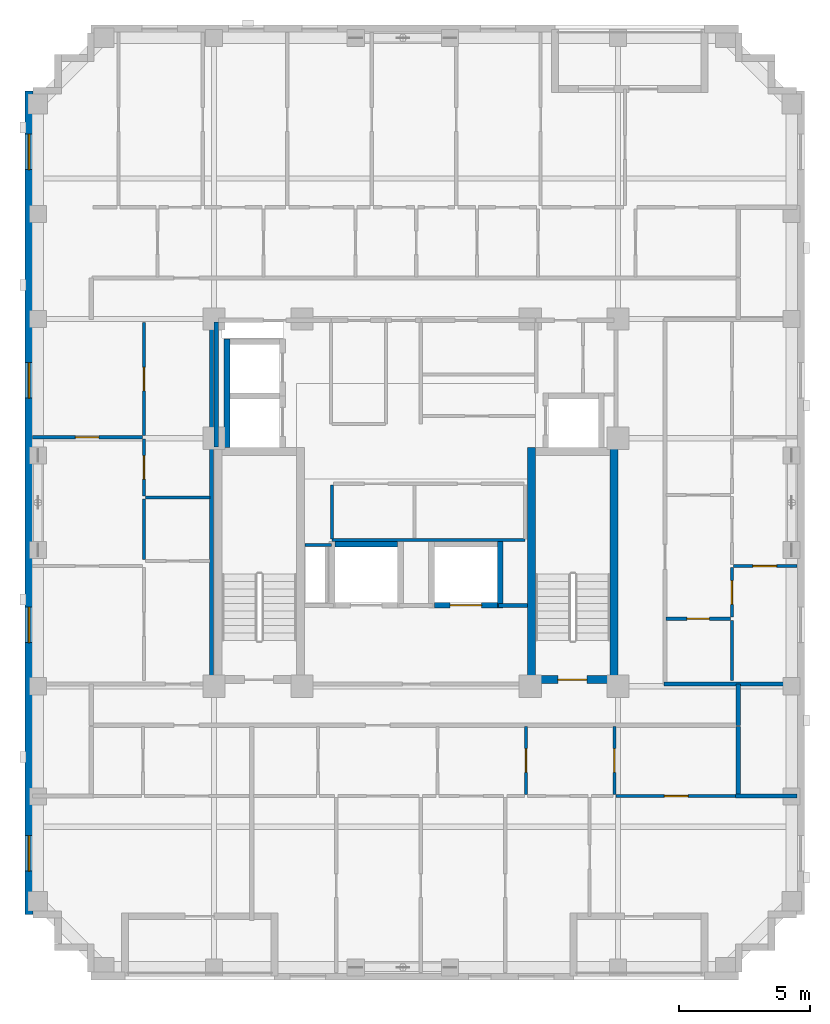
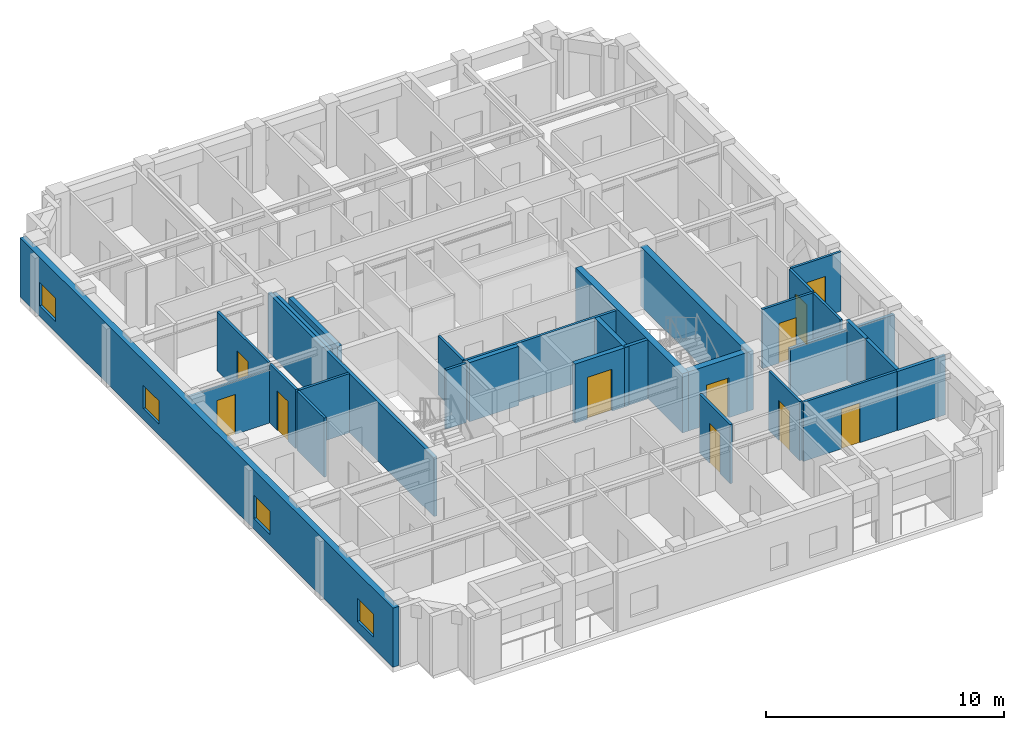
# One storey, part 4 of 11: 30 walls, 11 doors, 4 windows, 15 openings.
"""IFC4 building model written with IfcOpenShell, lengths in metres."""

from ifc_helpers import new_model, si_unit, derived_unit, direction, frame, frame_2d, origin, place, context, subcontext, project, spatial, rectangle, extrude, material, layer, layer_set, type_object, element, fill, save


model = new_model("IFC4")

# Units and contexts
model_context = context("Model", 3, precision=1e-05, world=origin(), true_north=direction((0.0, 1.0)))
body_context = subcontext(model_context, "Body", "Model", "MODEL_VIEW")
ifc_project = project(units=[si_unit("LENGTHUNIT", "METRE"), si_unit("AREAUNIT", "SQUARE_METRE"), si_unit("VOLUMEUNIT", "CUBIC_METRE"), si_unit("PLANEANGLEUNIT", "RADIAN"), si_unit("MASSUNIT", "GRAM", prefix="KILO"), derived_unit("THERMALTRANSMITTANCEUNIT", [(si_unit("MASSUNIT", "GRAM", prefix="KILO"), 1), (si_unit("TIMEUNIT", "SECOND"), -3), (si_unit("THERMODYNAMICTEMPERATUREUNIT", "KELVIN"), -1)])], contexts=[model_context])

# Site, building, storey
site_placement = place(None, origin())
site = spatial("IfcSite", under=ifc_project, at=site_placement, CompositionType="ELEMENT")
building_placement = place(site_placement, origin())
building = spatial("IfcBuilding", under=site, at=building_placement, Name="Korrvale Station Residences", CompositionType="ELEMENT")
storey_placement = place(building_placement, frame((0.0, 0.0, 194.199951171875)))
storey = spatial("IfcBuildingStorey", under=building, at=storey_placement, Name="L56", CompositionType="ELEMENT", Elevation=194.199951171875)

# Walls
ifc_material_1 = material(Name="Concrete C50/60", Category="concrete")
ifc_layer_1 = layer(ifc_material_1, 0.300048828125, Name="Concrete C50/60")
ifc_layer_set_1 = layer_set([ifc_layer_1], Name="Concrete C50/60")
wall_type_1 = type_object("IfcWallType", Name="WAL-CORE-300-C50", PredefinedType="SHEAR", material=ifc_layer_set_1)
for number, where, z_axis, x_axis, name in (
    (1, (29.89990234375, 15.10009765625, 0.0), (0.0, 0.0, 1.0), (0.0, 1.0, 0.0), "L56 ST-2 Core Shear Wall West"),
    (2, (33.050048828125, 15.10009765625, 0.0), (0.0, 0.0, 1.0), (0.0, 1.0, 0.0), "L56 ST-2 Core Shear Wall East"),
):
    element("IfcWall", number, at=place(storey_placement, frame(where, z_axis=z_axis, x_axis=x_axis)), inside=storey, type_object=wall_type_1, Name=name, PredefinedType="SHEAR", context=body_context, shape_type="SweptSolid", body=[
        extrude(rectangle(XDim=9.0, YDim=0.300048828125, at=frame_2d((4.5, 0.0))), origin(), (0.0, 0.0, 1.0), 3.0400390625),
    ])

# Wall, opening, door
wall_1_placement = place(storey_placement, frame((30.050048828125, 15.25, 0.0), z_axis=(0.0, 0.0, 1.0), x_axis=(1.0, 0.0, 0.0)))
wall_1 = element("IfcWall", 3, at=wall_1_placement, inside=storey, type_object=wall_type_1, Name="L56 ST-2 Core Shear Wall South", PredefinedType="SHEAR", context=body_context, shape_type="SweptSolid", body=[
    extrude(rectangle(XDim=2.849853515625, YDim=0.300048828125, at=frame_2d((1.4248046875, 0.0))), origin(), (0.0, 0.0, 1.0), 3.0400390625),
])
opening_1_placement = place(wall_1_placement, frame((0.860107421875, 0.0, 0.0)))
opening_1 = element("IfcOpeningElement", 4, at=opening_1_placement, cuts=wall_1, Name="Opening SD-1100", PredefinedType="OPENING", context=body_context, shape_type="SweptSolid", body=[
    extrude(rectangle(XDim=1.10009765625, YDim=2.050048828125, at=frame_2d((0.550048828125, 1.02490234375))), frame((0.0, 0.16015625, 0.0), z_axis=(0.0, -1.0, 0.0), x_axis=(1.0, 0.0, 0.0)), (0.0, 0.0, 1.0), 0.320068359375),
])
ifc_material_2 = material(Name="Hollow-metal fire-rated stair door with closer", Category="steel")
door_type_1 = type_object("IfcDoorType", Name="DR-STAIR-1100", OperationType="NOTDEFINED", PredefinedType="DOOR", material=ifc_material_2)
door_1_placement = place(opening_1_placement, origin())
door_1 = element("IfcDoor", 5, at=door_1_placement, inside=storey, type_object=door_type_1, Name="L56 ST-2 Exit Stair Door", OperationType="SINGLE_SWING_RIGHT", OverallHeight=2.050048828125, OverallWidth=1.10009765625, PredefinedType="DOOR", context=body_context, shape_type="SweptSolid", body=[
    extrude(rectangle(XDim=1.10009765625, YDim=2.050048828125, at=frame_2d((0.550048828125, 1.02490234375))), frame((0.0, 0.02490234375, 0.0), z_axis=(0.0, -1.0, 0.0), x_axis=(1.0, 0.0, 0.0)), (0.0, 0.0, 1.0), 0.050048828125),
])
fill(opening_1, door_1)

# Wall, openings, windows
ifc_material_3 = material(Name="Precast concrete C45/55", Category="concrete")
ifc_layer_2 = layer(ifc_material_3, 0.300048828125, Name="Precast concrete C45/55")
ifc_layer_set_2 = layer_set([ifc_layer_2], Name="Precast concrete C45/55")
wall_type_2 = type_object("IfcWallType", Name="WAL-EXT-PC300", PredefinedType="SOLIDWALL", material=ifc_layer_set_2)
wall_2_placement = place(storey_placement, frame((10.75, 6.300048828125, 0.0), z_axis=(0.0, 0.0, 1.0), x_axis=(0.0, 1.0, 0.0)))
wall_2 = element("IfcWall", 6, at=wall_2_placement, inside=storey, type_object=wall_type_2, Name="L56 West Exterior Precast Wall 1", PredefinedType="SOLIDWALL", context=body_context, shape_type="SweptSolid", body=[
    extrude(rectangle(XDim=31.39990234375, YDim=0.300048828125, at=frame_2d((15.699951171875, 0.0))), origin(), (0.0, 0.0, 1.0), 3.0400390625),
])
opening_2_placement = place(wall_2_placement, frame((1.653076171875, 0.0, 0.550048828125)))
opening_2 = element("IfcOpeningElement", 7, at=opening_2_placement, cuts=wall_2, Name="Opening W-10", PredefinedType="OPENING", context=body_context, shape_type="SweptSolid", body=[
    extrude(rectangle(XDim=1.35009765625, YDim=1.199951171875, at=frame_2d((0.675048828125, 0.60009765625))), frame((0.0, 0.16015625, 0.0), z_axis=(0.0, -1.0, 0.0), x_axis=(1.0, 0.0, 0.0)), (0.0, 0.0, 1.0), 0.320068359375),
])
opening_3_placement = place(wall_2_placement, frame((28.39599609375, 0.0, 0.550048828125)))
opening_3 = element("IfcOpeningElement", 8, at=opening_3_placement, cuts=wall_2, Name="Opening W-10", PredefinedType="OPENING", context=body_context, shape_type="SweptSolid", body=[
    extrude(rectangle(XDim=1.35009765625, YDim=1.199951171875, at=frame_2d((0.675048828125, 0.60009765625))), frame((0.0, 0.16015625, 0.0), z_axis=(0.0, -1.0, 0.0), x_axis=(1.0, 0.0, 0.0)), (0.0, 0.0, 1.0), 0.320068359375),
])
opening_4_placement = place(wall_2_placement, frame((10.366943359375, 0.0, 0.550048828125)))
opening_4 = element("IfcOpeningElement", 9, at=opening_4_placement, cuts=wall_2, Name="Opening W-10", PredefinedType="OPENING", context=body_context, shape_type="SweptSolid", body=[
    extrude(rectangle(XDim=1.35009765625, YDim=1.199951171875, at=frame_2d((0.675048828125, 0.60009765625))), frame((0.0, 0.16015625, 0.0), z_axis=(0.0, -1.0, 0.0), x_axis=(1.0, 0.0, 0.0)), (0.0, 0.0, 1.0), 0.320068359375),
])
opening_5_placement = place(wall_2_placement, frame((19.68310546875, 0.0, 0.550048828125)))
opening_5 = element("IfcOpeningElement", 10, at=opening_5_placement, cuts=wall_2, Name="Opening W-10", PredefinedType="OPENING", context=body_context, shape_type="SweptSolid", body=[
    extrude(rectangle(XDim=1.35009765625, YDim=1.199951171875, at=frame_2d((0.675048828125, 0.60009765625))), frame((0.0, 0.16015625, 0.0), z_axis=(0.0, -1.0, 0.0), x_axis=(1.0, 0.0, 0.0)), (0.0, 0.0, 1.0), 0.320068359375),
])
ifc_material_4 = material(Name="Thermally broken aluminium frame with triple low-e glazing", Category="aluminium")
window_type = type_object("IfcWindowType", Name="WIN-W10", PartitioningType="SINGLE_PANEL", PredefinedType="WINDOW", material=ifc_material_4)
window_1_placement = place(opening_2_placement, origin())
window_1 = element("IfcWindow", 11, at=window_1_placement, inside=storey, type_object=window_type, Name="L56 Punched Window 01", OverallHeight=1.199951171875, OverallWidth=1.35009765625, PartitioningType="SINGLE_PANEL", PredefinedType="WINDOW", context=body_context, shape_type="SweptSolid", body=[
    extrude(rectangle(XDim=1.35009765625, YDim=1.199951171875, at=frame_2d((0.675048828125, 0.60009765625))), frame((0.0, 0.030029296875, 0.0), z_axis=(0.0, -1.0, 0.0), x_axis=(1.0, 0.0, 0.0)), (0.0, 0.0, 1.0), 0.06005859375),
])
fill(opening_2, window_1)
window_2_placement = place(opening_3_placement, origin())
window_2 = element("IfcWindow", 12, at=window_2_placement, inside=storey, type_object=window_type, Name="L56 Punched Window 06", OverallHeight=1.199951171875, OverallWidth=1.35009765625, PartitioningType="SINGLE_PANEL", PredefinedType="WINDOW", context=body_context, shape_type="SweptSolid", body=[
    extrude(rectangle(XDim=1.35009765625, YDim=1.199951171875, at=frame_2d((0.675048828125, 0.60009765625))), frame((0.0, 0.030029296875, 0.0), z_axis=(0.0, -1.0, 0.0), x_axis=(1.0, 0.0, 0.0)), (0.0, 0.0, 1.0), 0.06005859375),
])
fill(opening_3, window_2)
window_3_placement = place(opening_4_placement, origin())
window_3 = element("IfcWindow", 13, at=window_3_placement, inside=storey, type_object=window_type, Name="L56 Punched Window 13", OverallHeight=1.199951171875, OverallWidth=1.35009765625, PartitioningType="SINGLE_PANEL", PredefinedType="WINDOW", context=body_context, shape_type="SweptSolid", body=[
    extrude(rectangle(XDim=1.35009765625, YDim=1.199951171875, at=frame_2d((0.675048828125, 0.60009765625))), frame((0.0, 0.030029296875, 0.0), z_axis=(0.0, -1.0, 0.0), x_axis=(1.0, 0.0, 0.0)), (0.0, 0.0, 1.0), 0.06005859375),
])
fill(opening_4, window_3)
window_4_placement = place(opening_5_placement, origin())
window_4 = element("IfcWindow", 14, at=window_4_placement, inside=storey, type_object=window_type, Name="L56 Punched Window 14", OverallHeight=1.199951171875, OverallWidth=1.35009765625, PartitioningType="SINGLE_PANEL", PredefinedType="WINDOW", context=body_context, shape_type="SweptSolid", body=[
    extrude(rectangle(XDim=1.35009765625, YDim=1.199951171875, at=frame_2d((0.675048828125, 0.60009765625))), frame((0.0, 0.030029296875, 0.0), z_axis=(0.0, -1.0, 0.0), x_axis=(1.0, 0.0, 0.0)), (0.0, 0.0, 1.0), 0.06005859375),
])
fill(opening_5, window_4)

# Walls
ifc_material_5 = material(Name="Acoustic steel-stud gypsum board partition", Category="steel")
ifc_layer_3 = layer(ifc_material_5, 0.1201171875, Name="Acoustic steel-stud gypsum board partition")
ifc_layer_set_3 = layer_set([ifc_layer_3], Name="Acoustic steel-stud gypsum board partition")
wall_type_3 = type_object("IfcWallType", Name="WAL-PART-125", PredefinedType="PARTITIONING", material=ifc_layer_set_3)
wall_3_placement = place(storey_placement, frame((22.280029296875, 20.3798828125, 0.0), z_axis=(0.0, 0.0, 1.0), x_axis=(-1.0, 0.0, 0.0)))
element("IfcWall", 15, at=wall_3_placement, inside=storey, type_object=wall_type_3, Name="L56 Core Partition CW-RSWT-N", PredefinedType="PARTITIONING", context=body_context, shape_type="SweptSolid", body=[
    extrude(rectangle(XDim=1.02001953125, YDim=0.1201171875, at=frame_2d((0.510009765625, 0.0))), origin(), (0.0, 0.0, 1.0), 3.0400390625),
])
wall_4_placement = place(storey_placement, frame((22.300048828125, 20.580078125, 0.0), z_axis=(0.0, 0.0, 1.0), x_axis=(1.0, 0.0, 0.0)))
element("IfcWall", 16, at=wall_4_placement, inside=storey, type_object=wall_type_3, Name="L56 Core Partition CW-FPM-S", PredefinedType="PARTITIONING", context=body_context, shape_type="SweptSolid", body=[
    extrude(rectangle(XDim=7.349853515625, YDim=0.1201171875, at=frame_2d((3.6748046875, 0.0))), origin(), (0.0, 0.0, 1.0), 3.0400390625),
])
wall_5_placement = place(storey_placement, frame((22.300048828125, 20.6201171875, 0.0), z_axis=(0.0, 0.0, 1.0), x_axis=(0.0, 1.0, 0.0)))
element("IfcWall", 17, at=wall_5_placement, inside=storey, type_object=wall_type_3, Name="L56 Core Partition CW-FPM-W", PredefinedType="PARTITIONING", context=body_context, shape_type="SweptSolid", body=[
    extrude(rectangle(XDim=2.059814453125, YDim=0.1201171875, at=frame_2d((1.02978515625, 0.0))), origin(), (0.0, 0.0, 1.0), 3.0400390625),
])

# Wall, opening, door
wall_6_placement = place(storey_placement, frame((29.68896484375, 10.8701171875, 0.0), z_axis=(0.0, 0.0, 1.0), x_axis=(0.0, 1.0, 0.0)))
wall_6 = element("IfcWall", 18, at=wall_6_placement, inside=storey, type_object=wall_type_3, Name="L56 Suite Partition U02-V23", PredefinedType="PARTITIONING", context=body_context, shape_type="SweptSolid", body=[
    extrude(rectangle(XDim=2.599853515625, YDim=0.1201171875, at=frame_2d((1.2998046875, 0.0))), origin(), (0.0, 0.0, 1.0), 3.0400390625),
])
opening_6_placement = place(wall_6_placement, frame((0.85009765625, 0.0, 0.0)))
opening_6 = element("IfcOpeningElement", 19, at=opening_6_placement, cuts=wall_6, Name="Opening DI-900", PredefinedType="OPENING", context=body_context, shape_type="SweptSolid", body=[
    extrude(rectangle(XDim=0.89990234375, YDim=2.050048828125, at=frame_2d((0.449951171875, 1.02490234375))), frame((0.0, 0.070068359375, 0.0), z_axis=(0.0, -1.0, 0.0), x_axis=(1.0, 0.0, 0.0)), (0.0, 0.0, 1.0), 0.14013671875),
])
ifc_material_6 = material(Name="Painted solid-core timber interior room door", Category="wood")
door_type_2 = type_object("IfcDoorType", Name="DR-INT-900", OperationType="NOTDEFINED", PredefinedType="DOOR", material=ifc_material_6)
door_2_placement = place(opening_6_placement, origin())
door_2 = element("IfcDoor", 20, at=door_2_placement, inside=storey, type_object=door_type_2, Name="L56 Studio Apartment L56-U02 Home Study Room Door", OperationType="SINGLE_SWING_RIGHT", OverallHeight=2.050048828125, OverallWidth=0.89990234375, PredefinedType="DOOR", context=body_context, shape_type="SweptSolid", body=[
    extrude(rectangle(XDim=0.89990234375, YDim=2.050048828125, at=frame_2d((0.449951171875, 1.02490234375))), frame((0.0, 0.02490234375, 0.0), z_axis=(0.0, -1.0, 0.0), x_axis=(1.0, 0.0, 0.0)), (0.0, 0.0, 1.0), 0.050048828125),
])
fill(opening_6, door_2)

wall_7_placement = place(storey_placement, frame((33.05908203125, 10.8701171875, 0.0), z_axis=(0.0, 0.0, 1.0), x_axis=(0.0, 1.0, 0.0)))
wall_7 = element("IfcWall", 21, at=wall_7_placement, inside=storey, type_object=wall_type_3, Name="L56 Suite Partition U02-V34", PredefinedType="PARTITIONING", context=body_context, shape_type="SweptSolid", body=[
    extrude(rectangle(XDim=2.599853515625, YDim=0.1201171875, at=frame_2d((1.2998046875, 0.0))), origin(), (0.0, 0.0, 1.0), 3.0400390625),
])
opening_7_placement = place(wall_7_placement, frame((0.85009765625, 0.0, 0.0)))
opening_7 = element("IfcOpeningElement", 22, at=opening_7_placement, cuts=wall_7, Name="Opening DI-900", PredefinedType="OPENING", context=body_context, shape_type="SweptSolid", body=[
    extrude(rectangle(XDim=0.89990234375, YDim=2.050048828125, at=frame_2d((0.449951171875, 1.02490234375))), frame((0.0, 0.070068359375, 0.0), z_axis=(0.0, -1.0, 0.0), x_axis=(1.0, 0.0, 0.0)), (0.0, 0.0, 1.0), 0.14013671875),
])
door_3_placement = place(opening_7_placement, origin())
door_3 = element("IfcDoor", 23, at=door_3_placement, inside=storey, type_object=door_type_2, Name="L56 Studio Apartment L56-U02 Home Study Room Door", OperationType="SINGLE_SWING_RIGHT", OverallHeight=2.050048828125, OverallWidth=0.89990234375, PredefinedType="DOOR", context=body_context, shape_type="SweptSolid", body=[
    extrude(rectangle(XDim=0.89990234375, YDim=2.050048828125, at=frame_2d((0.449951171875, 1.02490234375))), frame((0.0, 0.02490234375, 0.0), z_axis=(0.0, -1.0, 0.0), x_axis=(1.0, 0.0, 0.0)), (0.0, 0.0, 1.0), 0.050048828125),
])
fill(opening_7, door_3)

wall_8_placement = place(storey_placement, frame((33.118896484375, 10.81005859375, 0.0), z_axis=(0.0, 0.0, 1.0), x_axis=(1.0, 0.0, 0.0)))
wall_8 = element("IfcWall", 24, at=wall_8_placement, inside=storey, type_object=wall_type_3, Name="L56 Suite Partition U02-H49", PredefinedType="PARTITIONING", context=body_context, shape_type="SweptSolid", body=[
    extrude(rectangle(XDim=4.60107421875, YDim=0.1201171875, at=frame_2d((2.300537109375, 0.0))), origin(), (0.0, 0.0, 1.0), 3.0400390625),
])
opening_8_placement = place(wall_8_placement, frame((1.85009765625, 0.0, 0.0)))
opening_8 = element("IfcOpeningElement", 25, at=opening_8_placement, cuts=wall_8, Name="Opening DI-900", PredefinedType="OPENING", context=body_context, shape_type="SweptSolid", body=[
    extrude(rectangle(XDim=0.89990234375, YDim=2.050048828125, at=frame_2d((0.449951171875, 1.02490234375))), frame((0.0, 0.070068359375, 0.0), z_axis=(0.0, -1.0, 0.0), x_axis=(1.0, 0.0, 0.0)), (0.0, 0.0, 1.0), 0.14013671875),
])
door_4_placement = place(opening_8_placement, origin())
door_4 = element("IfcDoor", 26, at=door_4_placement, inside=storey, type_object=door_type_2, Name="L56 Studio Apartment L56-U02 Home Study Room Door", OperationType="SINGLE_SWING_RIGHT", OverallHeight=2.050048828125, OverallWidth=0.89990234375, PredefinedType="DOOR", context=body_context, shape_type="SweptSolid", body=[
    extrude(rectangle(XDim=0.89990234375, YDim=2.050048828125, at=frame_2d((0.449951171875, 1.02490234375))), frame((0.0, 0.02490234375, 0.0), z_axis=(0.0, -1.0, 0.0), x_axis=(1.0, 0.0, 0.0)), (0.0, 0.0, 1.0), 0.050048828125),
])
fill(opening_8, door_4)

# Wall
wall_9_placement = place(storey_placement, frame((15.18994140625, 22.18994140625, 0.0), z_axis=(0.0, 0.0, 1.0), x_axis=(1.0, 0.0, 0.0)))
element("IfcWall", 27, at=wall_9_placement, inside=storey, type_object=wall_type_3, Name="L56 Suite Partition U04-H01", PredefinedType="PARTITIONING", context=body_context, shape_type="SweptSolid", body=[
    extrude(rectangle(XDim=2.449951171875, YDim=0.1201171875, at=frame_2d((1.22509765625, 0.0))), origin(), (0.0, 0.0, 1.0), 3.0400390625),
])

# Wall, opening, door
wall_10_placement = place(storey_placement, frame((15.1298828125, 22.25, 0.0), z_axis=(0.0, 0.0, 1.0), x_axis=(0.0, 1.0, 0.0)))
wall_10 = element("IfcWall", 28, at=wall_10_placement, inside=storey, type_object=wall_type_3, Name="L56 Suite Partition U04-V04", PredefinedType="PARTITIONING", context=body_context, shape_type="SweptSolid", body=[
    extrude(rectangle(XDim=2.181884765625, YDim=0.1201171875, at=frame_2d((1.0908203125, 0.0))), origin(), (0.0, 0.0, 1.0), 3.0400390625),
])
opening_9_placement = place(wall_10_placement, frame((0.64111328125, 0.0, 0.0)))
opening_9 = element("IfcOpeningElement", 29, at=opening_9_placement, cuts=wall_10, Name="Opening DI-900", PredefinedType="OPENING", context=body_context, shape_type="SweptSolid", body=[
    extrude(rectangle(XDim=0.89990234375, YDim=2.050048828125, at=frame_2d((0.449951171875, 1.02490234375))), frame((0.0, 0.070068359375, 0.0), z_axis=(0.0, -1.0, 0.0), x_axis=(1.0, 0.0, 0.0)), (0.0, 0.0, 1.0), 0.14013671875),
])
door_5_placement = place(opening_9_placement, origin())
door_5 = element("IfcDoor", 30, at=door_5_placement, inside=storey, type_object=door_type_2, Name="L56 Apartment 2BR L56-U04 Wardrobe Storage Room Door", OperationType="SINGLE_SWING_RIGHT", OverallHeight=2.050048828125, OverallWidth=0.89990234375, PredefinedType="DOOR", context=body_context, shape_type="SweptSolid", body=[
    extrude(rectangle(XDim=0.89990234375, YDim=2.050048828125, at=frame_2d((0.449951171875, 1.02490234375))), frame((0.0, 0.02490234375, 0.0), z_axis=(0.0, -1.0, 0.0), x_axis=(1.0, 0.0, 0.0)), (0.0, 0.0, 1.0), 0.050048828125),
])
fill(opening_9, door_5)

wall_11_placement = place(storey_placement, frame((15.1298828125, 24.552001953125, 0.0), z_axis=(0.0, 0.0, 1.0), x_axis=(0.0, 1.0, 0.0)))
wall_11 = element("IfcWall", 31, at=wall_11_placement, inside=storey, type_object=wall_type_3, Name="L56 Suite Partition U04-V05", PredefinedType="PARTITIONING", context=body_context, shape_type="SweptSolid", body=[
    extrude(rectangle(XDim=4.30810546875, YDim=0.1201171875, at=frame_2d((2.154052734375, 0.0))), origin(), (0.0, 0.0, 1.0), 3.0400390625),
])
opening_10_placement = place(wall_11_placement, frame((1.7041015625, 0.0, 0.0)))
opening_10 = element("IfcOpeningElement", 32, at=opening_10_placement, cuts=wall_11, Name="Opening DI-900", PredefinedType="OPENING", context=body_context, shape_type="SweptSolid", body=[
    extrude(rectangle(XDim=0.89990234375, YDim=2.050048828125, at=frame_2d((0.449951171875, 1.02490234375))), frame((0.0, 0.070068359375, 0.0), z_axis=(0.0, -1.0, 0.0), x_axis=(1.0, 0.0, 0.0)), (0.0, 0.0, 1.0), 0.14013671875),
])
door_6_placement = place(opening_10_placement, origin())
door_6 = element("IfcDoor", 33, at=door_6_placement, inside=storey, type_object=door_type_2, Name="L56 Apartment 2BR L56-U04 Wardrobe Storage Room Door", OperationType="SINGLE_SWING_LEFT", OverallHeight=2.050048828125, OverallWidth=0.89990234375, PredefinedType="DOOR", context=body_context, shape_type="SweptSolid", body=[
    extrude(rectangle(XDim=0.89990234375, YDim=2.050048828125, at=frame_2d((0.449951171875, 1.02490234375))), frame((0.0, 0.02490234375, 0.0), z_axis=(0.0, -1.0, 0.0), x_axis=(1.0, 0.0, 0.0)), (0.0, 0.0, 1.0), 0.050048828125),
])
fill(opening_10, door_6)

# Wall
wall_12_placement = place(storey_placement, frame((15.1298828125, 19.830078125, 0.0), z_axis=(0.0, 0.0, 1.0), x_axis=(0.0, 1.0, 0.0)))
element("IfcWall", 34, at=wall_12_placement, inside=storey, type_object=wall_type_3, Name="L56 Suite Partition U04-V14", PredefinedType="PARTITIONING", context=body_context, shape_type="SweptSolid", body=[
    extrude(rectangle(XDim=2.2998046875, YDim=0.1201171875, at=frame_2d((1.14990234375, 0.0))), origin(), (0.0, 0.0, 1.0), 3.0400390625),
])

# Wall, opening, door
wall_13_placement = place(storey_placement, frame((10.8798828125, 24.491943359375, 0.0), z_axis=(0.0, 0.0, 1.0), x_axis=(1.0, 0.0, 0.0)))
wall_13 = element("IfcWall", 35, at=wall_13_placement, inside=storey, type_object=wall_type_3, Name="L56 Suite Partition U04-H45", PredefinedType="PARTITIONING", context=body_context, shape_type="SweptSolid", body=[
    extrude(rectangle(XDim=4.190185546875, YDim=0.1201171875, at=frame_2d((2.09521484375, 0.0))), origin(), (0.0, 0.0, 1.0), 2.72216796875),
])
opening_11_placement = place(wall_13_placement, frame((1.6298828125, 0.0, 0.0)))
opening_11 = element("IfcOpeningElement", 36, at=opening_11_placement, cuts=wall_13, Name="Opening DI-900", PredefinedType="OPENING", context=body_context, shape_type="SweptSolid", body=[
    extrude(rectangle(XDim=0.89990234375, YDim=2.050048828125, at=frame_2d((0.449951171875, 1.02490234375))), frame((0.0, 0.070068359375, 0.0), z_axis=(0.0, -1.0, 0.0), x_axis=(1.0, 0.0, 0.0)), (0.0, 0.0, 1.0), 0.14013671875),
])
door_7_placement = place(opening_11_placement, origin())
door_7 = element("IfcDoor", 37, at=door_7_placement, inside=storey, type_object=door_type_2, Name="L56 Apartment 2BR L56-U04 Living and Dining Room Door", OperationType="SINGLE_SWING_LEFT", OverallHeight=2.050048828125, OverallWidth=0.89990234375, PredefinedType="DOOR", context=body_context, shape_type="SweptSolid", body=[
    extrude(rectangle(XDim=0.89990234375, YDim=2.050048828125, at=frame_2d((0.449951171875, 1.02490234375))), frame((0.0, 0.02490234375, 0.0), z_axis=(0.0, -1.0, 0.0), x_axis=(1.0, 0.0, 0.0)), (0.0, 0.0, 1.0), 0.050048828125),
])
fill(opening_11, door_7)

wall_14_placement = place(storey_placement, frame((35.030029296875, 17.570068359375, 0.0), z_axis=(0.0, 0.0, 1.0), x_axis=(1.0, 0.0, 0.0)))
wall_14 = element("IfcWall", 38, at=wall_14_placement, inside=storey, type_object=wall_type_3, Name="L56 Suite Partition U05-H12", PredefinedType="PARTITIONING", context=body_context, shape_type="SweptSolid", body=[
    extrude(rectangle(XDim=2.449951171875, YDim=0.1201171875, at=frame_2d((1.22509765625, 0.0))), origin(), (0.0, 0.0, 1.0), 3.0400390625),
])
opening_12_placement = place(wall_14_placement, frame((0.794921875, 0.0, 0.0)))
opening_12 = element("IfcOpeningElement", 39, at=opening_12_placement, cuts=wall_14, Name="Opening DB-860", PredefinedType="OPENING", context=body_context, shape_type="SweptSolid", body=[
    extrude(rectangle(XDim=0.860107421875, YDim=2.050048828125, at=frame_2d((0.43017578125, 1.02490234375))), frame((0.0, 0.070068359375, 0.0), z_axis=(0.0, -1.0, 0.0), x_axis=(1.0, 0.0, 0.0)), (0.0, 0.0, 1.0), 0.14013671875),
])
ifc_material_7 = material(Name="Moisture-resistant solid-core bathroom door", Category="timber")
door_type_3 = type_object("IfcDoorType", Name="DR-BATH-860", OperationType="NOTDEFINED", PredefinedType="DOOR", material=ifc_material_7)
door_8_placement = place(opening_12_placement, origin())
door_8 = element("IfcDoor", 40, at=door_8_placement, inside=storey, type_object=door_type_3, Name="L56 Apartment 2BR L56-U05 Bathroom Door", OperationType="SINGLE_SWING_LEFT", OverallHeight=2.050048828125, OverallWidth=0.860107421875, PredefinedType="DOOR", context=body_context, shape_type="SweptSolid", body=[
    extrude(rectangle(XDim=0.860107421875, YDim=2.050048828125, at=frame_2d((0.43017578125, 1.02490234375))), frame((0.0, 0.02490234375, 0.0), z_axis=(0.0, -1.0, 0.0), x_axis=(1.0, 0.0, 0.0)), (0.0, 0.0, 1.0), 0.050048828125),
])
fill(opening_12, door_8)

# Wall
wall_15_placement = place(storey_placement, frame((37.5400390625, 15.2099609375, 0.0), z_axis=(0.0, 0.0, 1.0), x_axis=(0.0, 1.0, 0.0)))
element("IfcWall", 41, at=wall_15_placement, inside=storey, type_object=wall_type_3, Name="L56 Suite Partition U05-V13", PredefinedType="PARTITIONING", context=body_context, shape_type="SweptSolid", body=[
    extrude(rectangle(XDim=2.300048828125, YDim=0.1201171875, at=frame_2d((1.14990234375, 0.0))), origin(), (0.0, 0.0, 1.0), 3.0400390625),
])

# Wall, opening, door
wall_16_placement = place(storey_placement, frame((37.5400390625, 17.6298828125, 0.0), z_axis=(0.0, 0.0, 1.0), x_axis=(0.0, 1.0, 0.0)))
wall_16 = element("IfcWall", 42, at=wall_16_placement, inside=storey, type_object=wall_type_3, Name="L56 Suite Partition U05-V23", PredefinedType="PARTITIONING", context=body_context, shape_type="SweptSolid", body=[
    extrude(rectangle(XDim=1.88818359375, YDim=0.1201171875, at=frame_2d((0.944091796875, 0.0))), origin(), (0.0, 0.0, 1.0), 3.0400390625),
])
opening_13_placement = place(wall_16_placement, frame((0.493896484375, 0.0, 0.0)))
opening_13 = element("IfcOpeningElement", 43, at=opening_13_placement, cuts=wall_16, Name="Opening DI-900", PredefinedType="OPENING", context=body_context, shape_type="SweptSolid", body=[
    extrude(rectangle(XDim=0.89990234375, YDim=2.050048828125, at=frame_2d((0.449951171875, 1.02490234375))), frame((0.0, 0.070068359375, 0.0), z_axis=(0.0, -1.0, 0.0), x_axis=(1.0, 0.0, 0.0)), (0.0, 0.0, 1.0), 0.14013671875),
])
door_9_placement = place(opening_13_placement, origin())
door_9 = element("IfcDoor", 44, at=door_9_placement, inside=storey, type_object=door_type_2, Name="L56 Apartment 2BR L56-U05 Kitchen Door", OperationType="SINGLE_SWING_RIGHT", OverallHeight=2.050048828125, OverallWidth=0.89990234375, PredefinedType="DOOR", context=body_context, shape_type="SweptSolid", body=[
    extrude(rectangle(XDim=0.89990234375, YDim=2.050048828125, at=frame_2d((0.449951171875, 1.02490234375))), frame((0.0, 0.02490234375, 0.0), z_axis=(0.0, -1.0, 0.0), x_axis=(1.0, 0.0, 0.0)), (0.0, 0.0, 1.0), 0.050048828125),
])
fill(opening_13, door_9)

wall_17_placement = place(storey_placement, frame((37.60009765625, 19.577880859375, 0.0), z_axis=(0.0, 0.0, 1.0), x_axis=(1.0, 0.0, 0.0)))
wall_17 = element("IfcWall", 45, at=wall_17_placement, inside=storey, type_object=wall_type_3, Name="L56 Suite Partition U05-H34", PredefinedType="PARTITIONING", context=body_context, shape_type="SweptSolid", body=[
    extrude(rectangle(XDim=2.419921875, YDim=0.1201171875, at=frame_2d((1.2099609375, 0.0))), origin(), (0.0, 0.0, 1.0), 3.0400390625),
])
opening_14_placement = place(wall_17_placement, frame((0.7451171875, 0.0, 0.0)))
opening_14 = element("IfcOpeningElement", 46, at=opening_14_placement, cuts=wall_17, Name="Opening DI-900", PredefinedType="OPENING", context=body_context, shape_type="SweptSolid", body=[
    extrude(rectangle(XDim=0.89990234375, YDim=2.050048828125, at=frame_2d((0.449951171875, 1.02490234375))), frame((0.0, 0.070068359375, 0.0), z_axis=(0.0, -1.0, 0.0), x_axis=(1.0, 0.0, 0.0)), (0.0, 0.0, 1.0), 0.14013671875),
])
door_10_placement = place(opening_14_placement, origin())
door_10 = element("IfcDoor", 47, at=door_10_placement, inside=storey, type_object=door_type_2, Name="L56 Apartment 2BR L56-U05 Bedroom 1 Door", OperationType="SINGLE_SWING_RIGHT", OverallHeight=2.050048828125, OverallWidth=0.89990234375, PredefinedType="DOOR", context=body_context, shape_type="SweptSolid", body=[
    extrude(rectangle(XDim=0.89990234375, YDim=2.050048828125, at=frame_2d((0.449951171875, 1.02490234375))), frame((0.0, 0.02490234375, 0.0), z_axis=(0.0, -1.0, 0.0), x_axis=(1.0, 0.0, 0.0)), (0.0, 0.0, 1.0), 0.050048828125),
])
fill(opening_14, door_10)

# Walls
ifc_material_8 = material(Name="Fire-rated twin-stud gypsum and mineral wool shaftwall assembly", Category="gypsum")
ifc_layer_4 = layer(ifc_material_8, 0.159912109375, Name="Fire-rated twin-stud gypsum and mineral wool shaftwall assembly")
ifc_layer_set_4 = layer_set([ifc_layer_4], Name="Fire-rated twin-stud gypsum and mineral wool shaftwall assembly")
wall_type_4 = type_object("IfcWallType", Name="WAL-PART-200", PredefinedType="PARTITIONING", material=ifc_layer_set_4)
wall_18_placement = place(storey_placement, frame((28.64990234375, 18.080078125, 0.0), z_axis=(0.0, 0.0, 1.0), x_axis=(1.0, 0.0, 0.0)))
element("IfcWall", 48, at=wall_18_placement, inside=storey, type_object=wall_type_4, Name="L56 Core Partition CW-FFL-N3", PredefinedType="PARTITIONING", context=body_context, shape_type="SweptSolid", body=[
    extrude(rectangle(XDim=1.10009765625, YDim=0.159912109375, at=frame_2d((0.550048828125, 0.0))), origin(), (0.0, 0.0, 1.0), 3.0400390625),
])
wall_19_placement = place(storey_placement, frame((17.8798828125, 24.1201171875, 0.0), z_axis=(0.0, 0.0, 1.0), x_axis=(0.0, 1.0, 0.0)))
element("IfcWall", 49, at=wall_19_placement, inside=storey, type_object=wall_type_4, Name="L56 Core Partition CW-W-N", PredefinedType="PARTITIONING", context=body_context, shape_type="SweptSolid", body=[
    extrude(rectangle(XDim=4.759765625, YDim=0.159912109375, at=frame_2d((2.3798828125, 0.0))), origin(), (0.0, 0.0, 1.0), 3.0400390625),
])
wall_20_placement = place(storey_placement, frame((37.780029296875, 13.510009765625, 0.0), z_axis=(0.0, 0.0, 1.0), x_axis=(0.0, 1.0, 0.0)))
element("IfcWall", 50, at=wall_20_placement, inside=storey, type_object=wall_type_4, Name="L56 Corridor South East Cap", PredefinedType="PARTITIONING", context=body_context, shape_type="SweptSolid", body=[
    extrude(rectangle(XDim=1.580078125, YDim=0.159912109375, at=frame_2d((0.7900390625, 0.0))), origin(), (0.0, 0.0, 1.0), 3.0400390625),
])
wall_21_placement = place(storey_placement, frame((34.949951171875, 15.090087890625, 0.0), z_axis=(0.0, 0.0, 1.0), x_axis=(1.0, 0.0, 0.0)))
element("IfcWall", 51, at=wall_21_placement, inside=storey, type_object=wall_type_4, Name="L56 East Wing South Corridor Wall", PredefinedType="PARTITIONING", context=body_context, shape_type="SweptSolid", body=[
    extrude(rectangle(XDim=5.070068359375, YDim=0.159912109375, at=frame_2d((2.53515625, 0.0))), origin(), (0.0, 0.0, 1.0), 2.55615234375),
])
wall_22_placement = place(storey_placement, frame((37.679931640625, 10.81005859375, 0.0), z_axis=(0.0, 0.0, 1.0), x_axis=(1.0, 0.0, 0.0)))
element("IfcWall", 52, at=wall_22_placement, inside=storey, type_object=wall_type_4, Name="L56 Corner Step Wall U02-R", PredefinedType="PARTITIONING", context=body_context, shape_type="SweptSolid", body=[
    extrude(rectangle(XDim=2.340087890625, YDim=0.159912109375, at=frame_2d((1.169921875, 0.0))), origin(), (0.0, 0.0, 1.0), 3.0400390625),
])
wall_23_placement = place(storey_placement, frame((37.780029296875, 10.81005859375, 0.0), z_axis=(0.0, 0.0, 1.0), x_axis=(0.0, 1.0, 0.0)))
element("IfcWall", 53, at=wall_23_placement, inside=storey, type_object=wall_type_4, Name="L56 Corner Step Cheek U02-R", PredefinedType="PARTITIONING", context=body_context, shape_type="SweptSolid", body=[
    extrude(rectangle(XDim=2.659912109375, YDim=0.159912109375, at=frame_2d((1.330078125, 0.0))), origin(), (0.0, 0.0, 1.0), 3.0400390625),
])
wall_24_placement = place(storey_placement, frame((17.699951171875, 15.02001953125, 0.0), z_axis=(0.0, 0.0, 1.0), x_axis=(0.0, 1.0, 0.0)))
element("IfcWall", 54, at=wall_24_placement, inside=storey, type_object=wall_type_4, Name="L56 Rated Corridor Wall W", PredefinedType="PARTITIONING", context=body_context, shape_type="SweptSolid", body=[
    extrude(rectangle(XDim=13.97998046875, YDim=0.159912109375, at=frame_2d((6.989990234375, 0.0))), origin(), (0.0, 0.0, 1.0), 3.0400390625),
])
ifc_layer_5 = layer(ifc_material_1, 0.219970703125, Name="Concrete C50/60")
ifc_layer_set_5 = layer_set([ifc_layer_5], Name="Concrete C50/60")
wall_type_5 = type_object("IfcWallType", Name="WAL-SHAFT-220-C50", PredefinedType="SHEAR", material=ifc_layer_set_5)
wall_25_placement = place(storey_placement, frame((18.2900390625, 24.10009765625, 0.0), z_axis=(0.0, 0.0, 1.0), x_axis=(0.0, 1.0, 0.0)))
element("IfcWall", 55, at=wall_25_placement, inside=storey, type_object=wall_type_5, Name="L56 Elevator PH-1 Hoistway Wall West", PredefinedType="SHEAR", context=body_context, shape_type="SweptSolid", body=[
    extrude(rectangle(XDim=4.139892578125, YDim=0.219970703125, at=frame_2d((2.06982421875, 0.0))), origin(), (0.0, 0.0, 1.0), 3.0400390625),
])
wall_26_placement = place(storey_placement, frame((22.39990234375, 20.409912109375, 0.0), z_axis=(0.0, 0.0, 1.0), x_axis=(1.0, 0.0, 0.0)))
element("IfcWall", 56, at=wall_26_placement, inside=storey, type_object=wall_type_5, Name="L56 Elevator FFL-1 Hoistway Wall North", PredefinedType="SHEAR", context=body_context, shape_type="SweptSolid", body=[
    extrude(rectangle(XDim=2.400146484375, YDim=0.219970703125, at=frame_2d((1.2001953125, 0.0))), origin(), (0.0, 0.0, 1.0), 3.0400390625),
])

# Wall, opening, door
wall_27_placement = place(storey_placement, frame((26.199951171875, 18.090087890625, 0.0), z_axis=(0.0, 0.0, 1.0), x_axis=(1.0, 0.0, 0.0)))
wall_27 = element("IfcWall", 57, at=wall_27_placement, inside=storey, type_object=wall_type_5, Name="L56 Elevator FFL-2 Hoistway Wall South", PredefinedType="SHEAR", context=body_context, shape_type="SweptSolid", body=[
    extrude(rectangle(XDim=2.400146484375, YDim=0.219970703125, at=frame_2d((1.2001953125, 0.0))), origin(), (0.0, 0.0, 1.0), 3.0400390625),
])
opening_15_placement = place(wall_27_placement, frame((0.60009765625, 0.0, 0.0)))
opening_15 = element("IfcOpeningElement", 58, at=opening_15_placement, cuts=wall_27, Name="Opening LD-FF1200", PredefinedType="OPENING", context=body_context, shape_type="SweptSolid", body=[
    extrude(rectangle(XDim=1.199951171875, YDim=2.14990234375, at=frame_2d((0.60009765625, 1.074951171875))), frame((0.0, 0.1201171875, 0.0), z_axis=(0.0, -1.0, 0.0), x_axis=(1.0, 0.0, 0.0)), (0.0, 0.0, 1.0), 0.239990234375),
])
ifc_material_9 = material(Name="Stainless-steel firefighter elevator landing sliding door", Category="steel")
door_type_4 = type_object("IfcDoorType", Name="DR-LIFT-FF1200", OperationType="SLIDING_TO_LEFT", PredefinedType="DOOR", material=ifc_material_9)
door_11_placement = place(opening_15_placement, origin())
door_11 = element("IfcDoor", 59, at=door_11_placement, inside=storey, type_object=door_type_4, Name="L56 Elevator FFL-2 Sliding Landing Door", OperationType="SLIDING_TO_LEFT", OverallHeight=2.14990234375, OverallWidth=1.199951171875, PredefinedType="DOOR", context=body_context, shape_type="SweptSolid", body=[
    extrude(rectangle(XDim=1.199951171875, YDim=2.14990234375, at=frame_2d((0.60009765625, 1.074951171875))), frame((0.0, 0.02490234375, 0.0), z_axis=(0.0, -1.0, 0.0), x_axis=(1.0, 0.0, 0.0)), (0.0, 0.0, 1.0), 0.050048828125),
])
fill(opening_15, door_11)

# Wall
wall_28_placement = place(storey_placement, frame((28.7099609375, 17.97998046875, 0.0), z_axis=(0.0, 0.0, 1.0), x_axis=(0.0, 1.0, 0.0)))
element("IfcWall", 60, at=wall_28_placement, inside=storey, type_object=wall_type_5, Name="L56 Elevator FFL-2 Hoistway Wall East", PredefinedType="SHEAR", context=body_context, shape_type="SweptSolid", body=[
    extrude(rectangle(XDim=2.5400390625, YDim=0.219970703125, at=frame_2d((1.27001953125, 0.0))), origin(), (0.0, 0.0, 1.0), 3.0400390625),
])

save(model, "model.ifc")
